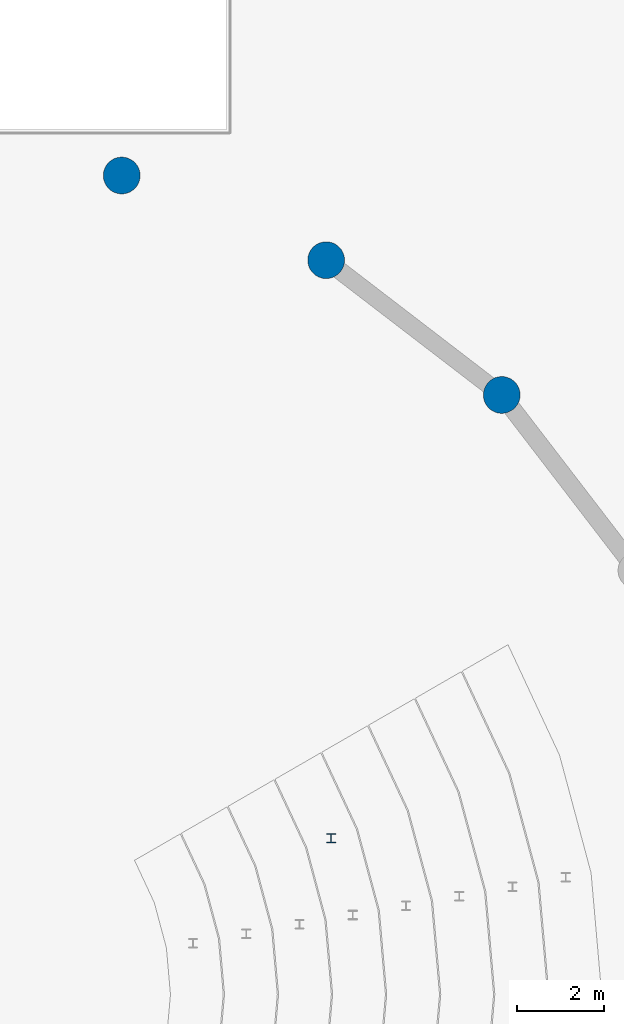
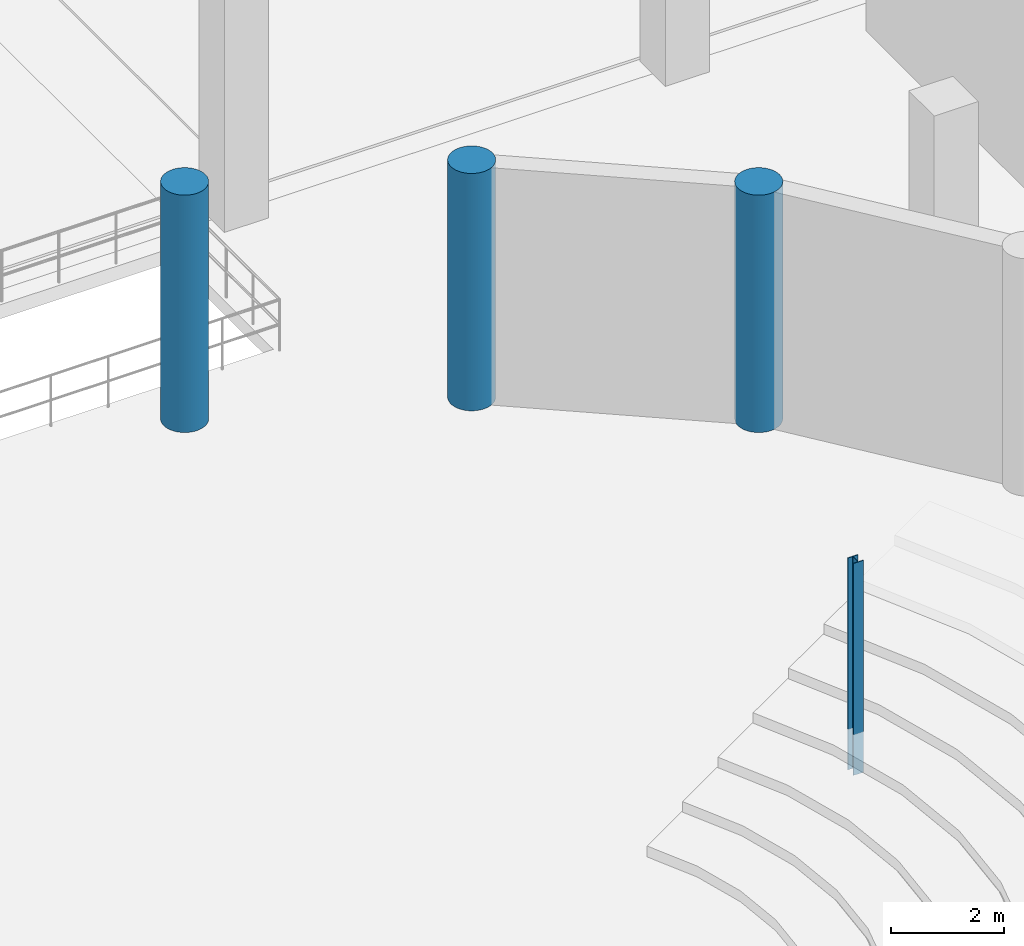
# One storey, part 22 of 103: 4 columns.
"""IFC4 building model written with IfcOpenShell, lengths in metres."""

from ifc_helpers import new_model, si_unit, direction, frame, origin, origin_2d, place, context, subcontext, project, spatial, circle, i_section, extrude, material, material_profile, profile_set, type_object, element, save


model = new_model("IFC4")

# Units and contexts
model_context = context("Model", 3, precision=1e-05, world=origin(), true_north=direction((0.0, 1.0)))
body_context = subcontext(model_context, "Body", "Model", "MODEL_VIEW")
ifc_project = project(units=[si_unit("LENGTHUNIT", "METRE"), si_unit("AREAUNIT", "SQUARE_METRE"), si_unit("VOLUMEUNIT", "CUBIC_METRE"), si_unit("PLANEANGLEUNIT", "RADIAN"), si_unit("MASSUNIT", "GRAM", prefix="KILO")], contexts=[model_context])

# Site, building, storey
site_placement = place(None, origin())
site = spatial("IfcSite", under=ifc_project, at=site_placement, CompositionType="ELEMENT")
building_placement = place(site_placement, origin())
building = spatial("IfcBuilding", under=site, at=building_placement, Name="Marnock Terrace Opera House", CompositionType="ELEMENT")
storey_placement = place(building_placement, origin())
storey = spatial("IfcBuildingStorey", under=building, at=storey_placement, Name="L00", CompositionType="ELEMENT", Elevation=0.0)

# Columns
ifc_material_1 = material(Name="Concrete N50 (f'c = 50 MPa)", Category="concrete")
ifc_material_profile_1 = material_profile(ifc_material_1, circle(Radius=0.425048828125, at=origin_2d()))
ifc_profile_set_1 = profile_set([ifc_material_profile_1], Name="Concrete N50 (f'c = 50 MPa)")
column_type_1 = type_object("IfcColumnType", Name="COL-DRUM-850", PredefinedType="COLUMN", material=ifc_profile_set_1)
for number, where, z_axis, x_axis, name in (
    (1, (95.85888671875, 74.35888671875, 0.0), (0.0, 0.0, 1.0), (1.0, 0.0, 0.0), "L00 auditorium drum pier 4"),
    (2, (91.800048828125, 77.47412109375, 0.0), (0.0, 0.0, 1.0), (1.0, 0.0, 0.0), "L00 auditorium drum pier 5"),
    (3, (87.072998046875, 79.431884765625, 0.0), (0.0, 0.0, 1.0), (1.0, 0.0, 0.0), "L00 auditorium drum pier 6"),
):
    element("IfcColumn", number, at=place(storey_placement, frame(where, z_axis=z_axis, x_axis=x_axis)), inside=storey, type_object=column_type_1, Name=name, PredefinedType="COLUMN", context=body_context, shape_type="SweptSolid", body=[
        extrude(circle(Radius=0.425048828125, at=origin_2d()), origin(), (0.0, 0.0, 1.0), 5.1201171875),
    ])
ifc_material_2 = material(Name="Steel Grade 350 (AS/NZS 3679.1)", Category="steel")
ifc_material_profile_2 = material_profile(ifc_material_2, i_section(OverallWidth=0.205078125, OverallDepth=0.209716796875, WebThickness=0.00927734375, FlangeThickness=0.01416015625, FilletRadius=0.011474609375, at=origin_2d()))
ifc_profile_set_2 = profile_set([ifc_material_profile_2], Name="Steel Grade 350 (AS/NZS 3679.1)")
column_type_2 = type_object("IfcColumnType", Name="COL-UC200", PredefinedType="COLUMN", material=ifc_profile_set_2)
column_placement = place(storey_placement, frame((91.913818359375, 64.1083984375, 0.0), z_axis=(0.0, 0.0, 1.0), x_axis=(1.0, 0.0, 0.0)))
element("IfcColumn", 4, at=column_placement, inside=storey, type_object=column_type_2, Name="L00 Auditorium balcony-front column 8", PredefinedType="COLUMN", context=body_context, shape_type="SweptSolid", body=[
    extrude(i_section(OverallWidth=0.205078125, OverallDepth=0.209716796875, WebThickness=0.00927734375, FlangeThickness=0.01416015625, FilletRadius=0.011474609375, at=origin_2d()), origin(), (0.0, 0.0, 1.0), 4.570068359375),
])

save(model, "model.ifc")
